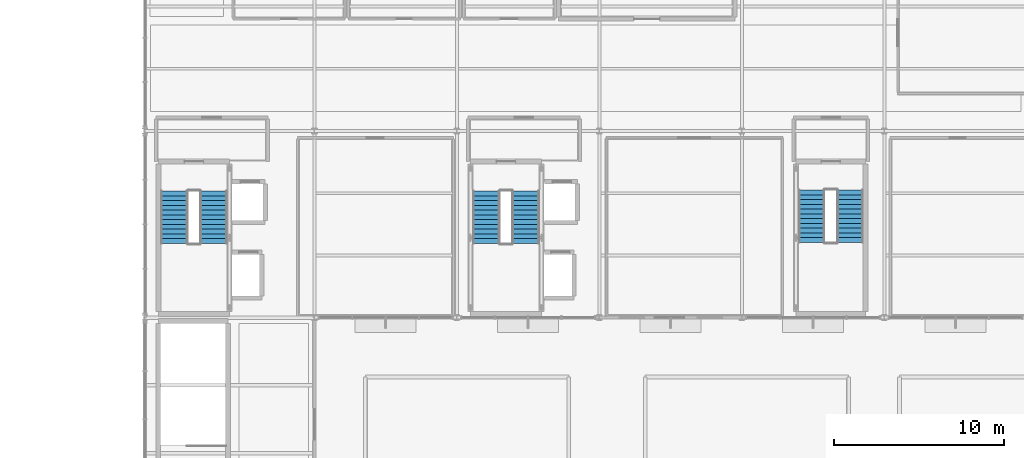
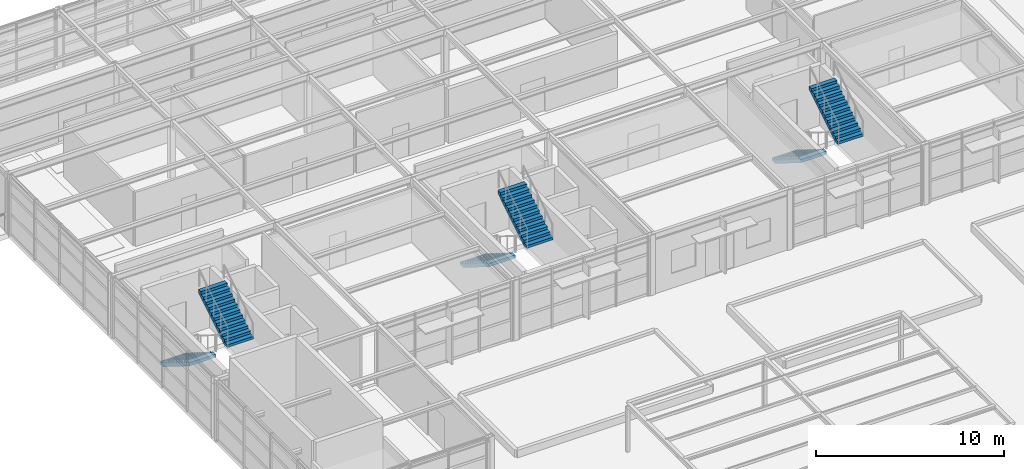
# One storey, part 45 of 49: 6 stair flights, 3 elements without a shape of their own.
"""IFC4 building model written with IfcOpenShell, lengths in metres."""

import ifcopenshell
import ifcopenshell.guid

model = None  # the IFC model being written
_history = None  # IfcOwnerHistory: only IFC2X3 demands one
_inside = {}  # id of a spatial element -> (the spatial element, [elements in it])
_under = {}  # id of a project, library or spatial element -> (it, [spatial elements below it])
_declared = {}  # id of a project -> (the project, [libraries it declares])
_typed = {}  # id of a type object -> (the type object, [elements of that type])
_made_of = {}  # id of a material, layer set ... -> (it, [elements and type objects made of it])


def new_model(schema):
    """Start an empty IFC model of exactly this schema.

    Asked for "IFC4X3", IfcOpenShell would pick the latest addendum, in which some entities
    have other attributes; the version numbers below select the first issue.
    IFC2X3 requires an IfcOwnerHistory on every rooted entity: one is made here for all.
    """
    global model, _history
    if schema == "IFC4X3":
        model = ifcopenshell.file(schema_version=(4, 3, 0, 0))
    else:
        model = ifcopenshell.file(schema=schema)
    _inside.clear()
    _under.clear()
    _declared.clear()
    _typed.clear()
    _made_of.clear()
    _history = None
    if model.schema == "IFC2X3":
        org = make("IfcOrganization", Name="unknown")
        user = make(
            "IfcPersonAndOrganization",
            ThePerson=make("IfcPerson", FamilyName="unknown"),
            TheOrganization=org,
        )
        app = make(
            "IfcApplication",
            ApplicationDeveloper=org,
            Version="unknown",
            ApplicationFullName="unknown",
            ApplicationIdentifier="unknown",
        )
        _history = make(
            "IfcOwnerHistory",
            OwningUser=user,
            OwningApplication=app,
            ChangeAction="ADDED",
            CreationDate=0,
        )
    return model


def make(cls, **values):
    """One entity of the class cls with the attributes given. An attribute that is None is left unset."""
    return model.create_entity(
        cls, **{name: value for name, value in values.items() if value is not None}
    )


def rooted(cls, **values):
    """An entity with a GlobalId (a new one), such as an element, a storey or a relation."""
    return make(cls, GlobalId=ifcopenshell.guid.new(), OwnerHistory=_history, **values)


def si_unit(unit_type, name, prefix=None):
    """IfcSIUnit, for example si_unit("LENGTHUNIT", "METRE", prefix="MILLI")."""
    return make("IfcSIUnit", UnitType=unit_type, Prefix=prefix, Name=name)


def assignment(units):
    """IfcUnitAssignment: the units of a project."""
    return None if units is None else make("IfcUnitAssignment", Units=units)


def point(xyz):
    """IfcCartesianPoint."""
    return None if xyz is None else make("IfcCartesianPoint", Coordinates=xyz)


def direction(xyz):
    """IfcDirection."""
    return None if xyz is None else make("IfcDirection", DirectionRatios=xyz)


def frame(location, z_axis=None, x_axis=None):
    """IfcAxis2Placement3D, a coordinate frame: its origin and axes. An axis left out is left unset."""
    return make(
        "IfcAxis2Placement3D",
        Location=point(location),
        Axis=direction(z_axis),
        RefDirection=direction(x_axis),
    )


def origin():
    """The frame at (0, 0, 0) with its axes left unset."""
    return frame((0.0, 0.0, 0.0))


def place(relative_to, where):
    """IfcLocalPlacement: puts the frame where relative to a parent placement (None: the world)."""
    return make(
        "IfcLocalPlacement", PlacementRelTo=relative_to, RelativePlacement=where
    )


def context(
    kind, dimensions, precision=None, world=None, true_north=None, identifier=None
):
    """IfcGeometricRepresentationContext, for example the 3D "Model" context."""
    return make(
        "IfcGeometricRepresentationContext",
        ContextIdentifier=identifier,
        ContextType=kind,
        CoordinateSpaceDimension=dimensions,
        Precision=precision,
        WorldCoordinateSystem=world,
        TrueNorth=true_north,
    )


def subcontext(parent, identifier, kind, view, scale=None):
    """IfcGeometricRepresentationSubContext, for example "Body" below "Model"."""
    return make(
        "IfcGeometricRepresentationSubContext",
        ContextIdentifier=identifier,
        ContextType=kind,
        ParentContext=parent,
        TargetScale=scale,
        TargetView=view,
    )


def project(units=None, contexts=None):
    """IfcProject with its units and contexts."""
    return rooted(
        "IfcProject",
        Name="project",
        RepresentationContexts=contexts,
        UnitsInContext=assignment(units),
    )


def spatial(cls, under=None, at=None, **own):
    """A site, building, storey or space (cls), placed at a placement, below another one or the project."""
    s = rooted(cls, ObjectPlacement=at, **own)
    if under is not None:
        _under.setdefault(under.id(), (under, []))[1].append(s)
    return s


def polyline(points):
    """IfcPolyline through the points."""
    return make("IfcPolyline", Points=[point(p) for p in points])


def outline(outer, holes=None, kind="AREA"):
    """IfcArbitraryClosedProfileDef: a profile drawn as a closed curve; with holes, ...WithVoids."""
    if holes is None:
        return make("IfcArbitraryClosedProfileDef", ProfileType=kind, OuterCurve=outer)
    return make(
        "IfcArbitraryProfileDefWithVoids",
        ProfileType=kind,
        OuterCurve=outer,
        InnerCurves=holes,
    )


def extrude(swept, where, along, depth):
    """IfcExtrudedAreaSolid: the profile swept, set in the frame where, extruded along a direction by depth."""
    return make(
        "IfcExtrudedAreaSolid",
        SweptArea=swept,
        Position=where,
        ExtrudedDirection=direction(along),
        Depth=depth,
    )


def shape(context_of_items, identifier, shape_type, items):
    """IfcShapeRepresentation: the items that make up one representation, for example the "Body"."""
    return make(
        "IfcShapeRepresentation",
        ContextOfItems=context_of_items,
        RepresentationIdentifier=identifier,
        RepresentationType=shape_type,
        Items=items,
    )


def material(Name=None, Category=None):
    """IfcMaterial."""
    return make("IfcMaterial", Name=Name, Category=Category)


def made_of(thing, what):
    """Note that an element or type object is made of a material, layer set ...; save() writes the relation."""
    if what is not None:
        _made_of.setdefault(what.id(), (what, []))[1].append(thing)
    return thing


def type_object(cls, material=None, **own):
    """A type object (cls), such as IfcWallType, which elements share."""
    return made_of(rooted(cls, **own), material)


def element(
    cls,
    number,
    at=None,
    inside=None,
    cuts=None,
    type_object=None,
    material=None,
    context=None,
    identifier="Body",
    shape_type=None,
    held_by="IfcProductDefinitionShape",
    body=None,
    shapes=None,
    **own,
):
    """One element of the class cls, such as IfcWall. Its Tag is "e" and its number.

    at: its placement. inside: the storey or other place that contains it. cuts: it is an
    opening in that element (IfcRelVoidsElement). A single representation is given by context,
    identifier, shape_type and body (its items); several are given by shapes. held_by: the class
    of the entity that holds the representations. save() writes the other relations.
    """
    e = rooted(cls, Tag="e%d" % number, ObjectPlacement=at, **own)
    if body is not None:
        shapes = [shape(context, identifier, shape_type, body)]
    if shapes is not None:
        e.Representation = make(held_by, Representations=shapes)
    if inside is not None:
        _inside.setdefault(inside.id(), (inside, []))[1].append(e)
    if cuts is not None:
        rooted(
            "IfcRelVoidsElement", RelatingBuildingElement=cuts, RelatedOpeningElement=e
        )
    if type_object is not None:
        _typed.setdefault(type_object.id(), (type_object, []))[1].append(e)
    return made_of(e, material)


def aggregate(whole, parts):
    """IfcRelAggregates: a whole, such as a stair, and the parts it consists of."""
    return rooted("IfcRelAggregates", RelatingObject=whole, RelatedObjects=parts)


def save(model, path):
    """Write the relations noted so far, then the file.

    IfcRelAggregates (storeys below a building ...), IfcRelContainedInSpatialStructure (elements
    in a storey), IfcRelDefinesByType, IfcRelAssociatesMaterial and IfcRelDeclares: one each for
    every whole, place, type object, material and project.
    """
    for whole, parts in _under.values():
        aggregate(whole, parts)
    for where, things in _inside.values():
        rooted(
            "IfcRelContainedInSpatialStructure",
            RelatedElements=things,
            RelatingStructure=where,
        )
    for kind, things in _typed.values():
        rooted("IfcRelDefinesByType", RelatedObjects=things, RelatingType=kind)
    for what, things in _made_of.values():
        rooted("IfcRelAssociatesMaterial", RelatedObjects=things, RelatingMaterial=what)
    for by, libraries in _declared.values():
        rooted("IfcRelDeclares", RelatingContext=by, RelatedDefinitions=libraries)
    model.write(path)


model = new_model("IFC4")

# Units and contexts
model_context = context("Model", 3, precision=1e-05, world=origin(), true_north=direction((0.0, 1.0)))
body_context = subcontext(model_context, "Body", "Model", "MODEL_VIEW")
ifc_project = project(units=[si_unit("LENGTHUNIT", "METRE"), si_unit("AREAUNIT", "SQUARE_METRE"), si_unit("VOLUMEUNIT", "CUBIC_METRE"), si_unit("PLANEANGLEUNIT", "RADIAN"), si_unit("MASSUNIT", "GRAM", prefix="KILO")], contexts=[model_context])

# Site, building, storey
site_placement = place(None, origin())
site = spatial("IfcSite", under=ifc_project, at=site_placement, CompositionType="ELEMENT")
building_placement = place(site_placement, origin())
building = spatial("IfcBuilding", under=site, at=building_placement, Name="Sitalva Quay Ferry Terminal", CompositionType="ELEMENT")
storey_placement = place(building_placement, frame((0.0, 0.0, 10.199951171875)))
storey = spatial("IfcBuildingStorey", under=building, at=storey_placement, Name="L03", CompositionType="ELEMENT", Elevation=10.199951171875)

# Stair, stair flights
ifc_material_1 = material(Name="Concrete C35/45", Category="concrete")
stair_type_1 = type_object("IfcStairType", Name="Stair_CoreDogLeg_1400", PredefinedType="HALF_TURN_STAIR", material=ifc_material_1)
stair_1_placement = place(storey_placement, origin())
stair_1 = element("IfcStair", 1, at=stair_1_placement, inside=storey, type_object=stair_type_1, Name="L03 Core C4 stair ST-04", PredefinedType="HALF_TURN_STAIR")
ifc_material_2 = material(Name="Concrete C35/45", Category="concrete")
stair_flight_type_1 = type_object("IfcStairFlightType", Name="Stair_CoreDogLeg_1400_Flight", PredefinedType="STRAIGHT", material=ifc_material_2)
stair_flight_1_placement = place(storey_placement, frame((113.31005859375, 85.510009765625, 0.0), z_axis=(0.0, 0.0, 1.0), x_axis=(0.0, -1.0, 0.0)))
stair_flight_1 = element("IfcStairFlight", 2, at=stair_flight_1_placement, type_object=stair_flight_type_1, Name="ST-04 flight 1", NumberOfRisers=12, NumberOfTreads=11, PredefinedType="STRAIGHT", RiserHeight=0.175, TreadLength=0.28, context=body_context, shape_type="SweptSolid", body=[
    extrude(outline(polyline([(0.0, 0.0), (0.0, 0.175048828125), (0.280029296875, 0.175048828125), (0.280029296875, 0.35009765625), (0.56005859375, 0.35009765625), (0.56005859375, 0.52490234375), (0.840087890625, 0.52490234375), (0.840087890625, 0.699951171875), (1.1201171875, 0.699951171875), (1.1201171875, 0.875), (1.39990234375, 0.875), (1.39990234375, 1.050048828125), (1.679931640625, 1.050048828125), (1.679931640625, 1.22509765625), (1.9599609375, 1.22509765625), (1.9599609375, 1.39990234375), (2.239990234375, 1.39990234375), (2.239990234375, 1.574951171875), (2.52001953125, 1.574951171875), (2.52001953125, 1.75), (2.800048828125, 1.75), (2.800048828125, 1.925048828125), (3.080078125, 1.925048828125), (3.080078125, 2.10009765625), (3.080078125, 1.712890625), (2.8515625, 1.570068359375), (2.623291015625, 1.42724609375), (2.394775390625, 1.28466796875), (2.16650390625, 1.141845703125), (1.938232421875, 0.9990234375), (1.709716796875, 0.8564453125), (1.4814453125, 0.713623046875), (1.2529296875, 0.571044921875), (1.024658203125, 0.42822265625), (0.796142578125, 0.285400390625), (0.56787109375, 0.142822265625), (0.339599609375, 0.0), (0.0, 0.0)])), frame((0.0, 0.780029296875, 0.0), z_axis=(0.0, -1.0, 0.0), x_axis=(1.0, 0.0, 0.0)), (0.0, 0.0, 1.0), 1.56005859375),
])
stair_flight_2_placement = place(storey_placement, frame((115.590087890625, 82.429931640625, 2.10009765625), z_axis=(0.0, 0.0, 1.0), x_axis=(0.0, 1.0, 0.0)))
stair_flight_2 = element("IfcStairFlight", 3, at=stair_flight_2_placement, type_object=stair_flight_type_1, Name="ST-04 flight 2", NumberOfRisers=12, NumberOfTreads=11, PredefinedType="STRAIGHT", RiserHeight=0.175, TreadLength=0.28, context=body_context, shape_type="SweptSolid", body=[
    extrude(outline(polyline([(0.0, 0.0), (0.0, 0.175048828125), (0.280029296875, 0.175048828125), (0.280029296875, 0.35009765625), (0.56005859375, 0.35009765625), (0.56005859375, 0.52490234375), (0.840087890625, 0.52490234375), (0.840087890625, 0.699951171875), (1.1201171875, 0.699951171875), (1.1201171875, 0.875), (1.39990234375, 0.875), (1.39990234375, 1.050048828125), (1.679931640625, 1.050048828125), (1.679931640625, 1.22509765625), (1.9599609375, 1.22509765625), (1.9599609375, 1.39990234375), (2.239990234375, 1.39990234375), (2.239990234375, 1.574951171875), (2.52001953125, 1.574951171875), (2.52001953125, 1.75), (2.800048828125, 1.75), (2.800048828125, 1.925048828125), (3.080078125, 1.925048828125), (3.080078125, 2.10009765625), (3.080078125, 1.712890625), (2.8515625, 1.570068359375), (2.623291015625, 1.42724609375), (2.394775390625, 1.28466796875), (2.16650390625, 1.141845703125), (1.938232421875, 0.9990234375), (1.709716796875, 0.8564453125), (1.4814453125, 0.713623046875), (1.2529296875, 0.571044921875), (1.024658203125, 0.42822265625), (0.796142578125, 0.285400390625), (0.56787109375, 0.142822265625), (0.339599609375, 0.0), (0.0, 0.0)])), frame((0.0, 0.780029296875, 0.0), z_axis=(0.0, -1.0, 0.0), x_axis=(1.0, 0.0, 0.0)), (0.0, 0.0, 1.0), 1.56005859375),
])
aggregate(stair_1, [stair_flight_1, stair_flight_2])

ifc_material_3 = material(Name="Concrete C35/45", Category="concrete")
stair_type_2 = type_object("IfcStairType", Name="Stair_CoreDogLeg_1500", PredefinedType="HALF_TURN_STAIR", material=ifc_material_3)
stair_2_placement = place(storey_placement, origin())
stair_2 = element("IfcStair", 4, at=stair_2_placement, inside=storey, type_object=stair_type_2, Name="L03 Core C1 stair ST-01", PredefinedType="HALF_TURN_STAIR")
ifc_material_4 = material(Name="Concrete C35/45", Category="concrete")
stair_flight_type_2 = type_object("IfcStairFlightType", Name="Stair_CoreDogLeg_1500_Flight", PredefinedType="STRAIGHT", material=ifc_material_4)
stair_flight_3_placement = place(storey_placement, frame((75.739990234375, 85.449951171875, 0.0), z_axis=(0.0, 0.0, 1.0), x_axis=(0.0, -1.0, 0.0)))
stair_flight_3 = element("IfcStairFlight", 5, at=stair_flight_3_placement, type_object=stair_flight_type_2, Name="ST-01 flight 1", NumberOfRisers=12, NumberOfTreads=11, PredefinedType="STRAIGHT", RiserHeight=0.175, TreadLength=0.28, context=body_context, shape_type="SweptSolid", body=[
    extrude(outline(polyline([(0.0, 0.0), (0.0, 0.175048828125), (0.280029296875, 0.175048828125), (0.280029296875, 0.35009765625), (0.56005859375, 0.35009765625), (0.56005859375, 0.52490234375), (0.840087890625, 0.52490234375), (0.840087890625, 0.699951171875), (1.1201171875, 0.699951171875), (1.1201171875, 0.875), (1.39990234375, 0.875), (1.39990234375, 1.050048828125), (1.679931640625, 1.050048828125), (1.679931640625, 1.22509765625), (1.9599609375, 1.22509765625), (1.9599609375, 1.39990234375), (2.239990234375, 1.39990234375), (2.239990234375, 1.574951171875), (2.52001953125, 1.574951171875), (2.52001953125, 1.75), (2.800048828125, 1.75), (2.800048828125, 1.925048828125), (3.080078125, 1.925048828125), (3.080078125, 2.10009765625), (3.080078125, 1.712890625), (2.8515625, 1.570068359375), (2.623291015625, 1.42724609375), (2.394775390625, 1.28466796875), (2.16650390625, 1.141845703125), (1.938232421875, 0.9990234375), (1.709716796875, 0.8564453125), (1.4814453125, 0.713623046875), (1.2529296875, 0.571044921875), (1.024658203125, 0.42822265625), (0.796142578125, 0.285400390625), (0.56787109375, 0.142822265625), (0.339599609375, 0.0), (0.0, 0.0)])), frame((0.0, 0.81005859375, 0.0), z_axis=(0.0, -1.0, 0.0), x_axis=(1.0, 0.0, 0.0)), (0.0, 0.0, 1.0), 1.6201171875),
])
stair_flight_4_placement = place(storey_placement, frame((78.06005859375, 82.3701171875, 2.10009765625), z_axis=(0.0, 0.0, 1.0), x_axis=(0.0, 1.0, 0.0)))
stair_flight_4 = element("IfcStairFlight", 6, at=stair_flight_4_placement, type_object=stair_flight_type_2, Name="ST-01 flight 2", NumberOfRisers=12, NumberOfTreads=11, PredefinedType="STRAIGHT", RiserHeight=0.175, TreadLength=0.28, context=body_context, shape_type="SweptSolid", body=[
    extrude(outline(polyline([(0.0, 0.0), (0.0, 0.175048828125), (0.280029296875, 0.175048828125), (0.280029296875, 0.35009765625), (0.56005859375, 0.35009765625), (0.56005859375, 0.52490234375), (0.840087890625, 0.52490234375), (0.840087890625, 0.699951171875), (1.1201171875, 0.699951171875), (1.1201171875, 0.875), (1.39990234375, 0.875), (1.39990234375, 1.050048828125), (1.679931640625, 1.050048828125), (1.679931640625, 1.22509765625), (1.9599609375, 1.22509765625), (1.9599609375, 1.39990234375), (2.239990234375, 1.39990234375), (2.239990234375, 1.574951171875), (2.52001953125, 1.574951171875), (2.52001953125, 1.75), (2.800048828125, 1.75), (2.800048828125, 1.925048828125), (3.080078125, 1.925048828125), (3.080078125, 2.10009765625), (3.080078125, 1.712890625), (2.8515625, 1.570068359375), (2.623291015625, 1.42724609375), (2.394775390625, 1.28466796875), (2.16650390625, 1.141845703125), (1.938232421875, 0.9990234375), (1.709716796875, 0.8564453125), (1.4814453125, 0.713623046875), (1.2529296875, 0.571044921875), (1.024658203125, 0.42822265625), (0.796142578125, 0.285400390625), (0.56787109375, 0.142822265625), (0.339599609375, 0.0), (0.0, 0.0)])), frame((0.0, 0.81005859375, 0.0), z_axis=(0.0, -1.0, 0.0), x_axis=(1.0, 0.0, 0.0)), (0.0, 0.0, 1.0), 1.6201171875),
])
aggregate(stair_2, [stair_flight_3, stair_flight_4])

stair_3_placement = place(storey_placement, origin())
stair_3 = element("IfcStair", 7, at=stair_3_placement, inside=storey, type_object=stair_type_2, Name="L03 Core C2 stair ST-02", PredefinedType="HALF_TURN_STAIR")
stair_flight_5_placement = place(storey_placement, frame((94.139892578125, 85.449951171875, 0.0), z_axis=(0.0, 0.0, 1.0), x_axis=(0.0, -1.0, 0.0)))
stair_flight_5 = element("IfcStairFlight", 8, at=stair_flight_5_placement, type_object=stair_flight_type_2, Name="ST-02 flight 1", NumberOfRisers=12, NumberOfTreads=11, PredefinedType="STRAIGHT", RiserHeight=0.175, TreadLength=0.28, context=body_context, shape_type="SweptSolid", body=[
    extrude(outline(polyline([(0.0, 0.0), (0.0, 0.175048828125), (0.280029296875, 0.175048828125), (0.280029296875, 0.35009765625), (0.56005859375, 0.35009765625), (0.56005859375, 0.52490234375), (0.840087890625, 0.52490234375), (0.840087890625, 0.699951171875), (1.1201171875, 0.699951171875), (1.1201171875, 0.875), (1.39990234375, 0.875), (1.39990234375, 1.050048828125), (1.679931640625, 1.050048828125), (1.679931640625, 1.22509765625), (1.9599609375, 1.22509765625), (1.9599609375, 1.39990234375), (2.239990234375, 1.39990234375), (2.239990234375, 1.574951171875), (2.52001953125, 1.574951171875), (2.52001953125, 1.75), (2.800048828125, 1.75), (2.800048828125, 1.925048828125), (3.080078125, 1.925048828125), (3.080078125, 2.10009765625), (3.080078125, 1.712890625), (2.8515625, 1.570068359375), (2.623291015625, 1.42724609375), (2.394775390625, 1.28466796875), (2.16650390625, 1.141845703125), (1.938232421875, 0.9990234375), (1.709716796875, 0.8564453125), (1.4814453125, 0.713623046875), (1.2529296875, 0.571044921875), (1.024658203125, 0.42822265625), (0.796142578125, 0.285400390625), (0.56787109375, 0.142822265625), (0.339599609375, 0.0), (0.0, 0.0)])), frame((0.0, 0.81005859375, 0.0), z_axis=(0.0, -1.0, 0.0), x_axis=(1.0, 0.0, 0.0)), (0.0, 0.0, 1.0), 1.6201171875),
])
stair_flight_6_placement = place(storey_placement, frame((96.4599609375, 82.3701171875, 2.10009765625), z_axis=(0.0, 0.0, 1.0), x_axis=(0.0, 1.0, 0.0)))
stair_flight_6 = element("IfcStairFlight", 9, at=stair_flight_6_placement, type_object=stair_flight_type_2, Name="ST-02 flight 2", NumberOfRisers=12, NumberOfTreads=11, PredefinedType="STRAIGHT", RiserHeight=0.175, TreadLength=0.28, context=body_context, shape_type="SweptSolid", body=[
    extrude(outline(polyline([(0.0, 0.0), (0.0, 0.175048828125), (0.280029296875, 0.175048828125), (0.280029296875, 0.35009765625), (0.56005859375, 0.35009765625), (0.56005859375, 0.52490234375), (0.840087890625, 0.52490234375), (0.840087890625, 0.699951171875), (1.1201171875, 0.699951171875), (1.1201171875, 0.875), (1.39990234375, 0.875), (1.39990234375, 1.050048828125), (1.679931640625, 1.050048828125), (1.679931640625, 1.22509765625), (1.9599609375, 1.22509765625), (1.9599609375, 1.39990234375), (2.239990234375, 1.39990234375), (2.239990234375, 1.574951171875), (2.52001953125, 1.574951171875), (2.52001953125, 1.75), (2.800048828125, 1.75), (2.800048828125, 1.925048828125), (3.080078125, 1.925048828125), (3.080078125, 2.10009765625), (3.080078125, 1.712890625), (2.8515625, 1.570068359375), (2.623291015625, 1.42724609375), (2.394775390625, 1.28466796875), (2.16650390625, 1.141845703125), (1.938232421875, 0.9990234375), (1.709716796875, 0.8564453125), (1.4814453125, 0.713623046875), (1.2529296875, 0.571044921875), (1.024658203125, 0.42822265625), (0.796142578125, 0.285400390625), (0.56787109375, 0.142822265625), (0.339599609375, 0.0), (0.0, 0.0)])), frame((0.0, 0.81005859375, 0.0), z_axis=(0.0, -1.0, 0.0), x_axis=(1.0, 0.0, 0.0)), (0.0, 0.0, 1.0), 1.6201171875),
])
aggregate(stair_3, [stair_flight_5, stair_flight_6])

save(model, "model.ifc")
